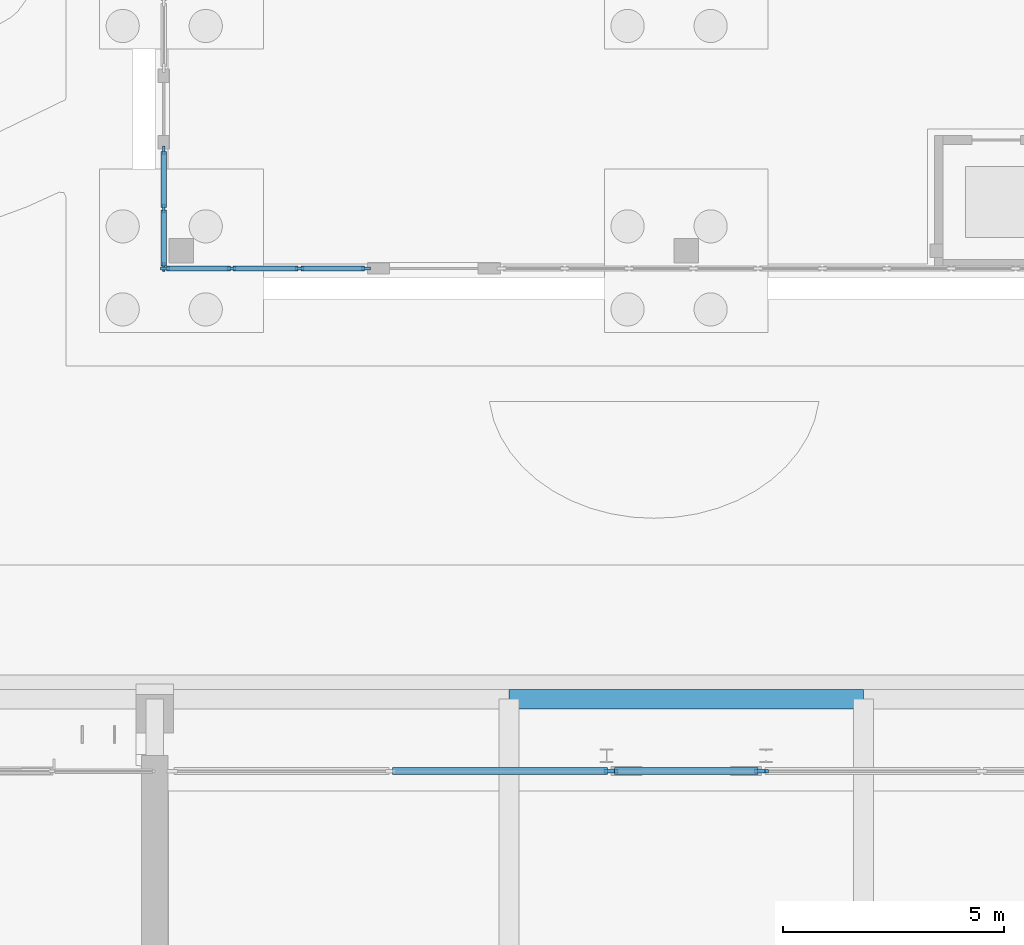
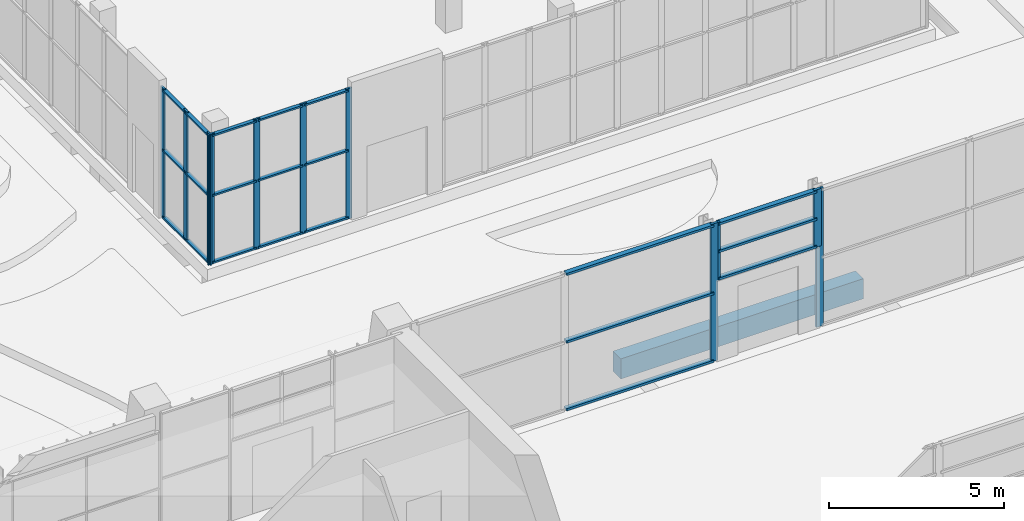
# One storey, part 53 of 144: 32 members, 1 beam, 5 elements without a shape of their own.
"""IFC4 building model written with IfcOpenShell, lengths in metres."""

import ifcopenshell
import ifcopenshell.guid

model = None  # the IFC model being written
_history = None  # IfcOwnerHistory: only IFC2X3 demands one
_inside = {}  # id of a spatial element -> (the spatial element, [elements in it])
_under = {}  # id of a project, library or spatial element -> (it, [spatial elements below it])
_declared = {}  # id of a project -> (the project, [libraries it declares])
_typed = {}  # id of a type object -> (the type object, [elements of that type])
_made_of = {}  # id of a material, layer set ... -> (it, [elements and type objects made of it])


def new_model(schema):
    """Start an empty IFC model of exactly this schema.

    Asked for "IFC4X3", IfcOpenShell would pick the latest addendum, in which some entities
    have other attributes; the version numbers below select the first issue.
    IFC2X3 requires an IfcOwnerHistory on every rooted entity: one is made here for all.
    """
    global model, _history
    if schema == "IFC4X3":
        model = ifcopenshell.file(schema_version=(4, 3, 0, 0))
    else:
        model = ifcopenshell.file(schema=schema)
    _inside.clear()
    _under.clear()
    _declared.clear()
    _typed.clear()
    _made_of.clear()
    _history = None
    if model.schema == "IFC2X3":
        org = make("IfcOrganization", Name="unknown")
        user = make(
            "IfcPersonAndOrganization",
            ThePerson=make("IfcPerson", FamilyName="unknown"),
            TheOrganization=org,
        )
        app = make(
            "IfcApplication",
            ApplicationDeveloper=org,
            Version="unknown",
            ApplicationFullName="unknown",
            ApplicationIdentifier="unknown",
        )
        _history = make(
            "IfcOwnerHistory",
            OwningUser=user,
            OwningApplication=app,
            ChangeAction="ADDED",
            CreationDate=0,
        )
    return model


def make(cls, **values):
    """One entity of the class cls with the attributes given. An attribute that is None is left unset."""
    return model.create_entity(
        cls, **{name: value for name, value in values.items() if value is not None}
    )


def rooted(cls, **values):
    """An entity with a GlobalId (a new one), such as an element, a storey or a relation."""
    return make(cls, GlobalId=ifcopenshell.guid.new(), OwnerHistory=_history, **values)


def si_unit(unit_type, name, prefix=None):
    """IfcSIUnit, for example si_unit("LENGTHUNIT", "METRE", prefix="MILLI")."""
    return make("IfcSIUnit", UnitType=unit_type, Prefix=prefix, Name=name)


def assignment(units):
    """IfcUnitAssignment: the units of a project."""
    return None if units is None else make("IfcUnitAssignment", Units=units)


def point(xyz):
    """IfcCartesianPoint."""
    return None if xyz is None else make("IfcCartesianPoint", Coordinates=xyz)


def direction(xyz):
    """IfcDirection."""
    return None if xyz is None else make("IfcDirection", DirectionRatios=xyz)


def frame(location, z_axis=None, x_axis=None):
    """IfcAxis2Placement3D, a coordinate frame: its origin and axes. An axis left out is left unset."""
    return make(
        "IfcAxis2Placement3D",
        Location=point(location),
        Axis=direction(z_axis),
        RefDirection=direction(x_axis),
    )


def frame_2d(location, x_axis=None):
    """IfcAxis2Placement2D, a coordinate frame in the plane: its origin and x axis."""
    return make(
        "IfcAxis2Placement2D", Location=point(location), RefDirection=direction(x_axis)
    )


def origin():
    """The frame at (0, 0, 0) with its axes left unset."""
    return frame((0.0, 0.0, 0.0))


def origin_2d():
    """The frame at (0, 0) in the plane with its x axis left unset."""
    return frame_2d((0.0, 0.0))


def place(relative_to, where):
    """IfcLocalPlacement: puts the frame where relative to a parent placement (None: the world)."""
    return make(
        "IfcLocalPlacement", PlacementRelTo=relative_to, RelativePlacement=where
    )


def context(
    kind, dimensions, precision=None, world=None, true_north=None, identifier=None
):
    """IfcGeometricRepresentationContext, for example the 3D "Model" context."""
    return make(
        "IfcGeometricRepresentationContext",
        ContextIdentifier=identifier,
        ContextType=kind,
        CoordinateSpaceDimension=dimensions,
        Precision=precision,
        WorldCoordinateSystem=world,
        TrueNorth=true_north,
    )


def subcontext(parent, identifier, kind, view, scale=None):
    """IfcGeometricRepresentationSubContext, for example "Body" below "Model"."""
    return make(
        "IfcGeometricRepresentationSubContext",
        ContextIdentifier=identifier,
        ContextType=kind,
        ParentContext=parent,
        TargetScale=scale,
        TargetView=view,
    )


def project(units=None, contexts=None):
    """IfcProject with its units and contexts."""
    return rooted(
        "IfcProject",
        Name="project",
        RepresentationContexts=contexts,
        UnitsInContext=assignment(units),
    )


def spatial(cls, under=None, at=None, **own):
    """A site, building, storey or space (cls), placed at a placement, below another one or the project."""
    s = rooted(cls, ObjectPlacement=at, **own)
    if under is not None:
        _under.setdefault(under.id(), (under, []))[1].append(s)
    return s


def profile(cls, at=None, kind="AREA", **sizes):
    """A parametric profile (cls). Its sizes go by their IFC names, for example OverallWidth=200.0."""
    return make(cls, ProfileType=kind, Position=at, **sizes)


def rectangle(**sizes):
    """IfcRectangleProfileDef."""
    return profile("IfcRectangleProfileDef", **sizes)


def extrude(swept, where, along, depth):
    """IfcExtrudedAreaSolid: the profile swept, set in the frame where, extruded along a direction by depth."""
    return make(
        "IfcExtrudedAreaSolid",
        SweptArea=swept,
        Position=where,
        ExtrudedDirection=direction(along),
        Depth=depth,
    )


def shape(context_of_items, identifier, shape_type, items):
    """IfcShapeRepresentation: the items that make up one representation, for example the "Body"."""
    return make(
        "IfcShapeRepresentation",
        ContextOfItems=context_of_items,
        RepresentationIdentifier=identifier,
        RepresentationType=shape_type,
        Items=items,
    )


def material(Name=None, Category=None):
    """IfcMaterial."""
    return make("IfcMaterial", Name=Name, Category=Category)


def layer(
    of_material, thickness, ventilated=None, Name=None, Category=None, Priority=None
):
    """IfcMaterialLayer: one layer of a wall or slab, of a material (None: an air gap)."""
    return make(
        "IfcMaterialLayer",
        Material=of_material,
        LayerThickness=thickness,
        IsVentilated=ventilated,
        Name=Name,
        Category=Category,
        Priority=Priority,
    )


def layer_set(layers, Name=None):
    """IfcMaterialLayerSet."""
    return make("IfcMaterialLayerSet", MaterialLayers=layers, LayerSetName=Name)


def material_profile(
    of_material, cross_section, Name=None, Category=None, Priority=None
):
    """IfcMaterialProfile: a cross section and its material."""
    return make(
        "IfcMaterialProfile",
        Name=Name,
        Material=of_material,
        Profile=cross_section,
        Priority=Priority,
        Category=Category,
    )


def profile_set(profiles, Name=None, composite=None):
    """IfcMaterialProfileSet."""
    return make(
        "IfcMaterialProfileSet",
        Name=Name,
        MaterialProfiles=profiles,
        CompositeProfile=composite,
    )


def made_of(thing, what):
    """Note that an element or type object is made of a material, layer set ...; save() writes the relation."""
    if what is not None:
        _made_of.setdefault(what.id(), (what, []))[1].append(thing)
    return thing


def type_object(cls, material=None, **own):
    """A type object (cls), such as IfcWallType, which elements share."""
    return made_of(rooted(cls, **own), material)


def element(
    cls,
    number,
    at=None,
    inside=None,
    cuts=None,
    type_object=None,
    material=None,
    context=None,
    identifier="Body",
    shape_type=None,
    held_by="IfcProductDefinitionShape",
    body=None,
    shapes=None,
    **own,
):
    """One element of the class cls, such as IfcWall. Its Tag is "e" and its number.

    at: its placement. inside: the storey or other place that contains it. cuts: it is an
    opening in that element (IfcRelVoidsElement). A single representation is given by context,
    identifier, shape_type and body (its items); several are given by shapes. held_by: the class
    of the entity that holds the representations. save() writes the other relations.
    """
    e = rooted(cls, Tag="e%d" % number, ObjectPlacement=at, **own)
    if body is not None:
        shapes = [shape(context, identifier, shape_type, body)]
    if shapes is not None:
        e.Representation = make(held_by, Representations=shapes)
    if inside is not None:
        _inside.setdefault(inside.id(), (inside, []))[1].append(e)
    if cuts is not None:
        rooted(
            "IfcRelVoidsElement", RelatingBuildingElement=cuts, RelatedOpeningElement=e
        )
    if type_object is not None:
        _typed.setdefault(type_object.id(), (type_object, []))[1].append(e)
    return made_of(e, material)


def aggregate(whole, parts):
    """IfcRelAggregates: a whole, such as a stair, and the parts it consists of."""
    return rooted("IfcRelAggregates", RelatingObject=whole, RelatedObjects=parts)


def save(model, path):
    """Write the relations noted so far, then the file.

    IfcRelAggregates (storeys below a building ...), IfcRelContainedInSpatialStructure (elements
    in a storey), IfcRelDefinesByType, IfcRelAssociatesMaterial and IfcRelDeclares: one each for
    every whole, place, type object, material and project.
    """
    for whole, parts in _under.values():
        aggregate(whole, parts)
    for where, things in _inside.values():
        rooted(
            "IfcRelContainedInSpatialStructure",
            RelatedElements=things,
            RelatingStructure=where,
        )
    for kind, things in _typed.values():
        rooted("IfcRelDefinesByType", RelatedObjects=things, RelatingType=kind)
    for what, things in _made_of.values():
        rooted("IfcRelAssociatesMaterial", RelatedObjects=things, RelatingMaterial=what)
    for by, libraries in _declared.values():
        rooted("IfcRelDeclares", RelatingContext=by, RelatedDefinitions=libraries)
    model.write(path)


model = new_model("IFC4")

# Units and contexts
model_context = context("Model", 3, precision=1e-05, world=origin(), true_north=direction((0.0, 1.0)))
body_context = subcontext(model_context, "Body", "Model", "MODEL_VIEW")
ifc_project = project(units=[si_unit("LENGTHUNIT", "METRE"), si_unit("AREAUNIT", "SQUARE_METRE"), si_unit("VOLUMEUNIT", "CUBIC_METRE"), si_unit("PLANEANGLEUNIT", "RADIAN"), si_unit("MASSUNIT", "GRAM", prefix="KILO")], contexts=[model_context])

# Site, building, storey
site_placement = place(None, origin())
site = spatial("IfcSite", under=ifc_project, at=site_placement, CompositionType="ELEMENT")
building_placement = place(site_placement, origin())
building = spatial("IfcBuilding", under=site, at=building_placement, Name="Lantern Court Media Centre", CompositionType="ELEMENT")
storey_placement = place(building_placement, origin())
storey = spatial("IfcBuildingStorey", under=building, at=storey_placement, Name="L00", CompositionType="ELEMENT", Elevation=0.0)

# Curtain wall, member
ifc_material_1 = material(Name="Curtain wall bay 4000")
curtain_wall_type_1 = type_object("IfcCurtainWallType", Name="Curtain wall bay 4000", PredefinedType="NOTDEFINED", material=ifc_material_1)
curtain_wall_1_placement = place(storey_placement, origin())
curtain_wall_1 = element("IfcCurtainWall", 1, at=curtain_wall_1_placement, inside=storey, type_object=curtain_wall_type_1, Name="Curtain wall S inner L00", PredefinedType="NOTDEFINED")
ifc_material_2 = material(Name="Anodised aluminium", Category="aluminium")
ifc_material_profile_1 = material_profile(ifc_material_2, rectangle(XDim=0.080078125, YDim=0.239990234375, at=origin_2d()), Name="AL 80x240")
ifc_profile_set_1 = profile_set([ifc_material_profile_1], Name="Anodised aluminium")
member_type_1 = type_object("IfcMemberType", Name="Curtain wall mullion 80x240", PredefinedType="MULLION", material=ifc_profile_set_1)
member_1_placement = place(storey_placement, frame((50.260009765625, 61.85009765625, 0.0), z_axis=(0.0, 0.0, 1.0), x_axis=(0.0, 1.0, 0.0)))
member_1 = element("IfcMember", 2, at=member_1_placement, type_object=member_type_1, Name="CW3 mullion 3", PredefinedType="MULLION", context=body_context, shape_type="SweptSolid", body=[
    extrude(rectangle(XDim=0.080078125, YDim=0.239990234375, at=origin_2d()), origin(), (0.0, 0.0, 1.0), 4.800048828125),
])

curtain_wall_2_placement = place(storey_placement, origin())
curtain_wall_2 = element("IfcCurtainWall", 3, at=curtain_wall_2_placement, inside=storey, type_object=curtain_wall_type_1, Name="Curtain wall S inner L00", PredefinedType="NOTDEFINED")
member_2_placement = place(storey_placement, frame((53.739990234375, 61.85009765625, 0.0), z_axis=(0.0, 0.0, 1.0), x_axis=(0.0, 1.0, 0.0)))
member_2 = element("IfcMember", 4, at=member_2_placement, type_object=member_type_1, Name="CW3 mullion 1", PredefinedType="MULLION", context=body_context, shape_type="SweptSolid", body=[
    extrude(rectangle(XDim=0.080078125, YDim=0.239990234375, at=origin_2d()), origin(), (0.0, 0.0, 1.0), 4.800048828125),
])
aggregate(curtain_wall_2, [member_2])

# Curtain wall, members
curtain_wall_3_placement = place(storey_placement, origin())
curtain_wall_3 = element("IfcCurtainWall", 5, at=curtain_wall_3_placement, inside=storey, type_object=curtain_wall_type_1, Name="Curtain wall S inner L00", PredefinedType="NOTDEFINED")
member_3_placement = place(storey_placement, frame((50.340087890625, 61.85009765625, 2.800048828125), z_axis=(0.0, 0.0, 1.0), x_axis=(0.0, 1.0, 0.0)))
member_3 = element("IfcMember", 6, at=member_3_placement, type_object=member_type_1, Name="CW3 mullion 1", PredefinedType="MULLION", context=body_context, shape_type="SweptSolid", body=[
    extrude(rectangle(XDim=0.080078125, YDim=0.239990234375, at=origin_2d()), origin(), (0.0, 0.0, 1.0), 2.0),
])
member_4_placement = place(storey_placement, frame((53.659912109375, 61.85009765625, 2.800048828125), z_axis=(0.0, 0.0, 1.0), x_axis=(0.0, 1.0, 0.0)))
member_4 = element("IfcMember", 7, at=member_4_placement, type_object=member_type_1, Name="CW3 mullion 2", PredefinedType="MULLION", context=body_context, shape_type="SweptSolid", body=[
    extrude(rectangle(XDim=0.080078125, YDim=0.239990234375, at=origin_2d()), origin(), (0.0, 0.0, 1.0), 2.0),
])

# Member
ifc_material_profile_2 = material_profile(ifc_material_2, rectangle(XDim=0.159912109375, YDim=0.080078125, at=origin_2d()), Name="AL 80x160")
ifc_profile_set_2 = profile_set([ifc_material_profile_2], Name="Anodised aluminium")
member_type_2 = type_object("IfcMemberType", Name="Curtain wall transom 160x80", PredefinedType="USERDEFINED", material=ifc_profile_set_2)
member_5_placement = place(storey_placement, frame((45.364990234375, 61.85009765625, 0.0400390625), z_axis=(1.0, 0.0, 0.0), x_axis=(0.0, 1.0, 0.0)))
member_5 = element("IfcMember", 8, at=member_5_placement, type_object=member_type_2, Name="CW3 transom 2.1", ObjectType="TRANSOM", PredefinedType="USERDEFINED", context=body_context, shape_type="SweptSolid", body=[
    extrude(rectangle(XDim=0.159912109375, YDim=0.080078125, at=origin_2d()), origin(), (0.0, 0.0, 1.0), 4.85498046875),
])

member_6_placement = place(storey_placement, frame((45.364990234375, 61.85009765625, 2.39990234375), z_axis=(1.0, 0.0, 0.0), x_axis=(0.0, 1.0, 0.0)))
member_6 = element("IfcMember", 9, at=member_6_placement, type_object=member_type_2, Name="CW3 transom 2.2", ObjectType="TRANSOM", PredefinedType="USERDEFINED", context=body_context, shape_type="SweptSolid", body=[
    extrude(rectangle(XDim=0.159912109375, YDim=0.080078125, at=origin_2d()), origin(), (0.0, 0.0, 1.0), 4.85498046875),
])

member_7_placement = place(storey_placement, frame((45.364990234375, 61.85009765625, 4.760009765625), z_axis=(1.0, 0.0, 0.0), x_axis=(0.0, 1.0, 0.0)))
member_7 = element("IfcMember", 10, at=member_7_placement, type_object=member_type_2, Name="CW3 transom 2.3", ObjectType="TRANSOM", PredefinedType="USERDEFINED", context=body_context, shape_type="SweptSolid", body=[
    extrude(rectangle(XDim=0.159912109375, YDim=0.080078125, at=origin_2d()), origin(), (0.0, 0.0, 1.0), 4.85498046875),
])

aggregate(curtain_wall_1, [member_1, member_5, member_6, member_7])

member_8_placement = place(storey_placement, frame((50.3798828125, 61.85009765625, 2.840087890625), z_axis=(1.0, 0.0, 0.0), x_axis=(0.0, 1.0, 0.0)))
member_8 = element("IfcMember", 11, at=member_8_placement, type_object=member_type_2, Name="CW3 transom 1.1", ObjectType="TRANSOM", PredefinedType="USERDEFINED", context=body_context, shape_type="SweptSolid", body=[
    extrude(rectangle(XDim=0.159912109375, YDim=0.080078125, at=origin_2d()), origin(), (0.0, 0.0, 1.0), 3.240234375),
])

member_9_placement = place(storey_placement, frame((50.3798828125, 61.85009765625, 3.800048828125), z_axis=(1.0, 0.0, 0.0), x_axis=(0.0, 1.0, 0.0)))
member_9 = element("IfcMember", 12, at=member_9_placement, type_object=member_type_2, Name="CW3 transom 1.2", ObjectType="TRANSOM", PredefinedType="USERDEFINED", context=body_context, shape_type="SweptSolid", body=[
    extrude(rectangle(XDim=0.159912109375, YDim=0.080078125, at=origin_2d()), origin(), (0.0, 0.0, 1.0), 3.240234375),
])

member_10_placement = place(storey_placement, frame((50.3798828125, 61.85009765625, 4.760009765625), z_axis=(1.0, 0.0, 0.0), x_axis=(0.0, 1.0, 0.0)))
member_10 = element("IfcMember", 13, at=member_10_placement, type_object=member_type_2, Name="CW3 transom 1.3", ObjectType="TRANSOM", PredefinedType="USERDEFINED", context=body_context, shape_type="SweptSolid", body=[
    extrude(rectangle(XDim=0.159912109375, YDim=0.080078125, at=origin_2d()), origin(), (0.0, 0.0, 1.0), 3.240234375),
])

aggregate(curtain_wall_3, [member_3, member_4, member_8, member_9, member_10])

# Curtain wall, members
ifc_material_3 = material(Name="Aluminium and glass", Category="aluminium")
ifc_layer = layer(ifc_material_3, 0.14990234375)
ifc_layer_set = layer_set([ifc_layer], Name="Aluminium and glass")
curtain_wall_type_2 = type_object("IfcCurtainWallType", Name="Hall lancet glazing", PredefinedType="NOTDEFINED", material=ifc_layer_set)
curtain_wall_4_placement = place(storey_placement, origin())
curtain_wall_4 = element("IfcCurtainWall", 14, at=curtain_wall_4_placement, inside=storey, type_object=curtain_wall_type_2, Name="Press box glazing S 1", PredefinedType="NOTDEFINED")
ifc_material_4 = material(Name="Aluminium, anodised", Category="aluminium")
ifc_material_profile_3 = material_profile(ifc_material_4, rectangle(XDim=0.06005859375, YDim=0.199951171875, at=origin_2d()), Name="HM")
ifc_profile_set_3 = profile_set([ifc_material_profile_3], Name="Aluminium, anodised")
member_type_3 = type_object("IfcMemberType", Name="HM", PredefinedType="MULLION", material=ifc_profile_set_3)
member_11_placement = place(storey_placement, frame((40.22998046875, 73.199951171875, 0.0), z_axis=(0.0, 0.0, 1.0), x_axis=(0.0, 1.0, 0.0)))
member_11 = element("IfcMember", 15, at=member_11_placement, type_object=member_type_3, Name="HCW-PS1 mullion 1", PredefinedType="MULLION", context=body_context, shape_type="SweptSolid", body=[
    extrude(rectangle(XDim=0.06005859375, YDim=0.199951171875, at=origin_2d()), origin(), (0.0, 0.0, 1.0), 4.550048828125),
])
member_12_placement = place(storey_placement, frame((41.7333984375, 73.199951171875, 0.0), z_axis=(0.0, 0.0, 1.0), x_axis=(0.0, 1.0, 0.0)))
member_12 = element("IfcMember", 16, at=member_12_placement, type_object=member_type_3, Name="HCW-PS1 mullion 2", PredefinedType="MULLION", context=body_context, shape_type="SweptSolid", body=[
    extrude(rectangle(XDim=0.06005859375, YDim=0.199951171875, at=origin_2d()), origin(), (0.0, 0.0, 1.0), 4.550048828125),
])
member_13_placement = place(storey_placement, frame((43.2666015625, 73.199951171875, 0.0), z_axis=(0.0, 0.0, 1.0), x_axis=(0.0, 1.0, 0.0)))
member_13 = element("IfcMember", 17, at=member_13_placement, type_object=member_type_3, Name="HCW-PS1 mullion 3", PredefinedType="MULLION", context=body_context, shape_type="SweptSolid", body=[
    extrude(rectangle(XDim=0.06005859375, YDim=0.199951171875, at=origin_2d()), origin(), (0.0, 0.0, 1.0), 4.550048828125),
])
member_14_placement = place(storey_placement, frame((44.77001953125, 73.199951171875, 0.0), z_axis=(0.0, 0.0, 1.0), x_axis=(0.0, 1.0, 0.0)))
member_14 = element("IfcMember", 18, at=member_14_placement, type_object=member_type_3, Name="HCW-PS1 mullion 4", PredefinedType="MULLION", context=body_context, shape_type="SweptSolid", body=[
    extrude(rectangle(XDim=0.06005859375, YDim=0.199951171875, at=origin_2d()), origin(), (0.0, 0.0, 1.0), 4.550048828125),
])

curtain_wall_5_placement = place(storey_placement, origin())
curtain_wall_5 = element("IfcCurtainWall", 19, at=curtain_wall_5_placement, inside=storey, type_object=curtain_wall_type_2, Name="Press box glazing W 1", PredefinedType="NOTDEFINED")
member_15_placement = place(storey_placement, frame((40.199951171875, 73.22998046875, 0.0), z_axis=(0.0, 0.0, 1.0), x_axis=(-1.0, 0.0, 0.0)))
member_15 = element("IfcMember", 20, at=member_15_placement, type_object=member_type_3, Name="HCW-PW1 mullion 1", PredefinedType="MULLION", context=body_context, shape_type="SweptSolid", body=[
    extrude(rectangle(XDim=0.06005859375, YDim=0.199951171875, at=origin_2d()), origin(), (0.0, 0.0, 1.0), 4.550048828125),
])
member_16_placement = place(storey_placement, frame((40.199951171875, 74.550048828125, 0.0), z_axis=(0.0, 0.0, 1.0), x_axis=(-1.0, 0.0, 0.0)))
member_16 = element("IfcMember", 21, at=member_16_placement, type_object=member_type_3, Name="HCW-PW1 mullion 2", PredefinedType="MULLION", context=body_context, shape_type="SweptSolid", body=[
    extrude(rectangle(XDim=0.06005859375, YDim=0.199951171875, at=origin_2d()), origin(), (0.0, 0.0, 1.0), 4.550048828125),
])
member_17_placement = place(storey_placement, frame((40.199951171875, 75.8701171875, 0.0), z_axis=(0.0, 0.0, 1.0), x_axis=(-1.0, 0.0, 0.0)))
member_17 = element("IfcMember", 22, at=member_17_placement, type_object=member_type_3, Name="HCW-PW1 mullion 3", PredefinedType="MULLION", context=body_context, shape_type="SweptSolid", body=[
    extrude(rectangle(XDim=0.06005859375, YDim=0.199951171875, at=origin_2d()), origin(), (0.0, 0.0, 1.0), 4.550048828125),
])

# Member
ifc_material_profile_4 = material_profile(ifc_material_4, rectangle(XDim=0.1201171875, YDim=0.06005859375, at=origin_2d()), Name="HT")
ifc_profile_set_4 = profile_set([ifc_material_profile_4], Name="Aluminium, anodised")
member_type_4 = type_object("IfcMemberType", Name="HT", PredefinedType="USERDEFINED", material=ifc_profile_set_4)
member_18_placement = place(storey_placement, frame((40.260009765625, 73.199951171875, 0.06005859375), z_axis=(1.0, 0.0, 0.0), x_axis=(0.0, 1.0, 0.0)))
member_18 = element("IfcMember", 23, at=member_18_placement, type_object=member_type_4, Name="HCW-PS1 transom 1.1", ObjectType="TRANSOM", PredefinedType="USERDEFINED", context=body_context, shape_type="SweptSolid", body=[
    extrude(rectangle(XDim=0.1201171875, YDim=0.06005859375, at=origin_2d()), origin(), (0.0, 0.0, 1.0), 1.443359375),
])

member_19_placement = place(storey_placement, frame((40.260009765625, 73.199951171875, 2.39990234375), z_axis=(1.0, 0.0, 0.0), x_axis=(0.0, 1.0, 0.0)))
member_19 = element("IfcMember", 24, at=member_19_placement, type_object=member_type_4, Name="HCW-PS1 transom 1.2", ObjectType="TRANSOM", PredefinedType="USERDEFINED", context=body_context, shape_type="SweptSolid", body=[
    extrude(rectangle(XDim=0.1201171875, YDim=0.06005859375, at=origin_2d()), origin(), (0.0, 0.0, 1.0), 1.443359375),
])

member_20_placement = place(storey_placement, frame((40.260009765625, 73.199951171875, 4.489990234375), z_axis=(1.0, 0.0, 0.0), x_axis=(0.0, 1.0, 0.0)))
member_20 = element("IfcMember", 25, at=member_20_placement, type_object=member_type_4, Name="HCW-PS1 transom 1.3", ObjectType="TRANSOM", PredefinedType="USERDEFINED", context=body_context, shape_type="SweptSolid", body=[
    extrude(rectangle(XDim=0.1201171875, YDim=0.06005859375, at=origin_2d()), origin(), (0.0, 0.0, 1.0), 1.443359375),
])

member_21_placement = place(storey_placement, frame((41.763427734375, 73.199951171875, 0.06005859375), z_axis=(1.0, 0.0, 0.0), x_axis=(0.0, 1.0, 0.0)))
member_21 = element("IfcMember", 26, at=member_21_placement, type_object=member_type_4, Name="HCW-PS1 transom 2.1", ObjectType="TRANSOM", PredefinedType="USERDEFINED", context=body_context, shape_type="SweptSolid", body=[
    extrude(rectangle(XDim=0.1201171875, YDim=0.06005859375, at=origin_2d()), origin(), (0.0, 0.0, 1.0), 1.47314453125),
])

member_22_placement = place(storey_placement, frame((41.763427734375, 73.199951171875, 2.39990234375), z_axis=(1.0, 0.0, 0.0), x_axis=(0.0, 1.0, 0.0)))
member_22 = element("IfcMember", 27, at=member_22_placement, type_object=member_type_4, Name="HCW-PS1 transom 2.2", ObjectType="TRANSOM", PredefinedType="USERDEFINED", context=body_context, shape_type="SweptSolid", body=[
    extrude(rectangle(XDim=0.1201171875, YDim=0.06005859375, at=origin_2d()), origin(), (0.0, 0.0, 1.0), 1.47314453125),
])

member_23_placement = place(storey_placement, frame((41.763427734375, 73.199951171875, 4.489990234375), z_axis=(1.0, 0.0, 0.0), x_axis=(0.0, 1.0, 0.0)))
member_23 = element("IfcMember", 28, at=member_23_placement, type_object=member_type_4, Name="HCW-PS1 transom 2.3", ObjectType="TRANSOM", PredefinedType="USERDEFINED", context=body_context, shape_type="SweptSolid", body=[
    extrude(rectangle(XDim=0.1201171875, YDim=0.06005859375, at=origin_2d()), origin(), (0.0, 0.0, 1.0), 1.47314453125),
])

member_24_placement = place(storey_placement, frame((43.296630859375, 73.199951171875, 0.06005859375), z_axis=(1.0, 0.0, 0.0), x_axis=(0.0, 1.0, 0.0)))
member_24 = element("IfcMember", 29, at=member_24_placement, type_object=member_type_4, Name="HCW-PS1 transom 3.1", ObjectType="TRANSOM", PredefinedType="USERDEFINED", context=body_context, shape_type="SweptSolid", body=[
    extrude(rectangle(XDim=0.1201171875, YDim=0.06005859375, at=origin_2d()), origin(), (0.0, 0.0, 1.0), 1.443359375),
])

member_25_placement = place(storey_placement, frame((43.296630859375, 73.199951171875, 2.39990234375), z_axis=(1.0, 0.0, 0.0), x_axis=(0.0, 1.0, 0.0)))
member_25 = element("IfcMember", 30, at=member_25_placement, type_object=member_type_4, Name="HCW-PS1 transom 3.2", ObjectType="TRANSOM", PredefinedType="USERDEFINED", context=body_context, shape_type="SweptSolid", body=[
    extrude(rectangle(XDim=0.1201171875, YDim=0.06005859375, at=origin_2d()), origin(), (0.0, 0.0, 1.0), 1.443359375),
])

member_26_placement = place(storey_placement, frame((43.296630859375, 73.199951171875, 4.489990234375), z_axis=(1.0, 0.0, 0.0), x_axis=(0.0, 1.0, 0.0)))
member_26 = element("IfcMember", 31, at=member_26_placement, type_object=member_type_4, Name="HCW-PS1 transom 3.3", ObjectType="TRANSOM", PredefinedType="USERDEFINED", context=body_context, shape_type="SweptSolid", body=[
    extrude(rectangle(XDim=0.1201171875, YDim=0.06005859375, at=origin_2d()), origin(), (0.0, 0.0, 1.0), 1.443359375),
])

aggregate(curtain_wall_4, [member_11, member_12, member_13, member_14, member_18, member_19, member_20, member_21, member_22, member_23, member_24, member_25, member_26])

member_27_placement = place(storey_placement, frame((40.199951171875, 73.260009765625, 0.06005859375), z_axis=(0.0, 1.0, 0.0), x_axis=(-1.0, 0.0, 0.0)))
member_27 = element("IfcMember", 32, at=member_27_placement, type_object=member_type_4, Name="HCW-PW1 transom 1.1", ObjectType="TRANSOM", PredefinedType="USERDEFINED", context=body_context, shape_type="SweptSolid", body=[
    extrude(rectangle(XDim=0.1201171875, YDim=0.06005859375, at=origin_2d()), origin(), (0.0, 0.0, 1.0), 1.260009765625),
])

member_28_placement = place(storey_placement, frame((40.199951171875, 73.260009765625, 2.39990234375), z_axis=(0.0, 1.0, 0.0), x_axis=(-1.0, 0.0, 0.0)))
member_28 = element("IfcMember", 33, at=member_28_placement, type_object=member_type_4, Name="HCW-PW1 transom 1.2", ObjectType="TRANSOM", PredefinedType="USERDEFINED", context=body_context, shape_type="SweptSolid", body=[
    extrude(rectangle(XDim=0.1201171875, YDim=0.06005859375, at=origin_2d()), origin(), (0.0, 0.0, 1.0), 1.260009765625),
])

member_29_placement = place(storey_placement, frame((40.199951171875, 73.260009765625, 4.489990234375), z_axis=(0.0, 1.0, 0.0), x_axis=(-1.0, 0.0, 0.0)))
member_29 = element("IfcMember", 34, at=member_29_placement, type_object=member_type_4, Name="HCW-PW1 transom 1.3", ObjectType="TRANSOM", PredefinedType="USERDEFINED", context=body_context, shape_type="SweptSolid", body=[
    extrude(rectangle(XDim=0.1201171875, YDim=0.06005859375, at=origin_2d()), origin(), (0.0, 0.0, 1.0), 1.260009765625),
])

member_30_placement = place(storey_placement, frame((40.199951171875, 74.580078125, 0.06005859375), z_axis=(0.0, 1.0, 0.0), x_axis=(-1.0, 0.0, 0.0)))
member_30 = element("IfcMember", 35, at=member_30_placement, type_object=member_type_4, Name="HCW-PW1 transom 2.1", ObjectType="TRANSOM", PredefinedType="USERDEFINED", context=body_context, shape_type="SweptSolid", body=[
    extrude(rectangle(XDim=0.1201171875, YDim=0.06005859375, at=origin_2d()), origin(), (0.0, 0.0, 1.0), 1.260009765625),
])

member_31_placement = place(storey_placement, frame((40.199951171875, 74.580078125, 2.39990234375), z_axis=(0.0, 1.0, 0.0), x_axis=(-1.0, 0.0, 0.0)))
member_31 = element("IfcMember", 36, at=member_31_placement, type_object=member_type_4, Name="HCW-PW1 transom 2.2", ObjectType="TRANSOM", PredefinedType="USERDEFINED", context=body_context, shape_type="SweptSolid", body=[
    extrude(rectangle(XDim=0.1201171875, YDim=0.06005859375, at=origin_2d()), origin(), (0.0, 0.0, 1.0), 1.260009765625),
])

member_32_placement = place(storey_placement, frame((40.199951171875, 74.580078125, 4.489990234375), z_axis=(0.0, 1.0, 0.0), x_axis=(-1.0, 0.0, 0.0)))
member_32 = element("IfcMember", 37, at=member_32_placement, type_object=member_type_4, Name="HCW-PW1 transom 2.3", ObjectType="TRANSOM", PredefinedType="USERDEFINED", context=body_context, shape_type="SweptSolid", body=[
    extrude(rectangle(XDim=0.1201171875, YDim=0.06005859375, at=origin_2d()), origin(), (0.0, 0.0, 1.0), 1.260009765625),
])

aggregate(curtain_wall_5, [member_15, member_16, member_17, member_27, member_28, member_29, member_30, member_31, member_32])

# Beam
ifc_material_5 = material(Name="Concrete C35", Category="concrete")
ifc_material_profile_5 = material_profile(ifc_material_5, rectangle(XDim=0.449951171875, YDim=0.699951171875, at=origin_2d()), Name="RC 450x700")
ifc_profile_set_5 = profile_set([ifc_material_profile_5], Name="Concrete C35")
beam_type = type_object("IfcBeamType", Name="RC BEAM 450x700", PredefinedType="BEAM", material=ifc_profile_set_5)
beam_placement = place(storey_placement, frame((48.0, 63.472900390625, -0.35009765625), z_axis=(1.0, 0.0, 0.0), x_axis=(0.0, 1.0, 0.0)))
element("IfcBeam", 38, at=beam_placement, inside=storey, type_object=beam_type, Name="LB-S-L00-2-3", PredefinedType="BEAM", context=body_context, shape_type="SweptSolid", body=[
    extrude(rectangle(XDim=0.449951171875, YDim=0.699951171875, at=origin_2d()), origin(), (0.0, 0.0, 1.0), 8.0),
])

save(model, "model.ifc")
